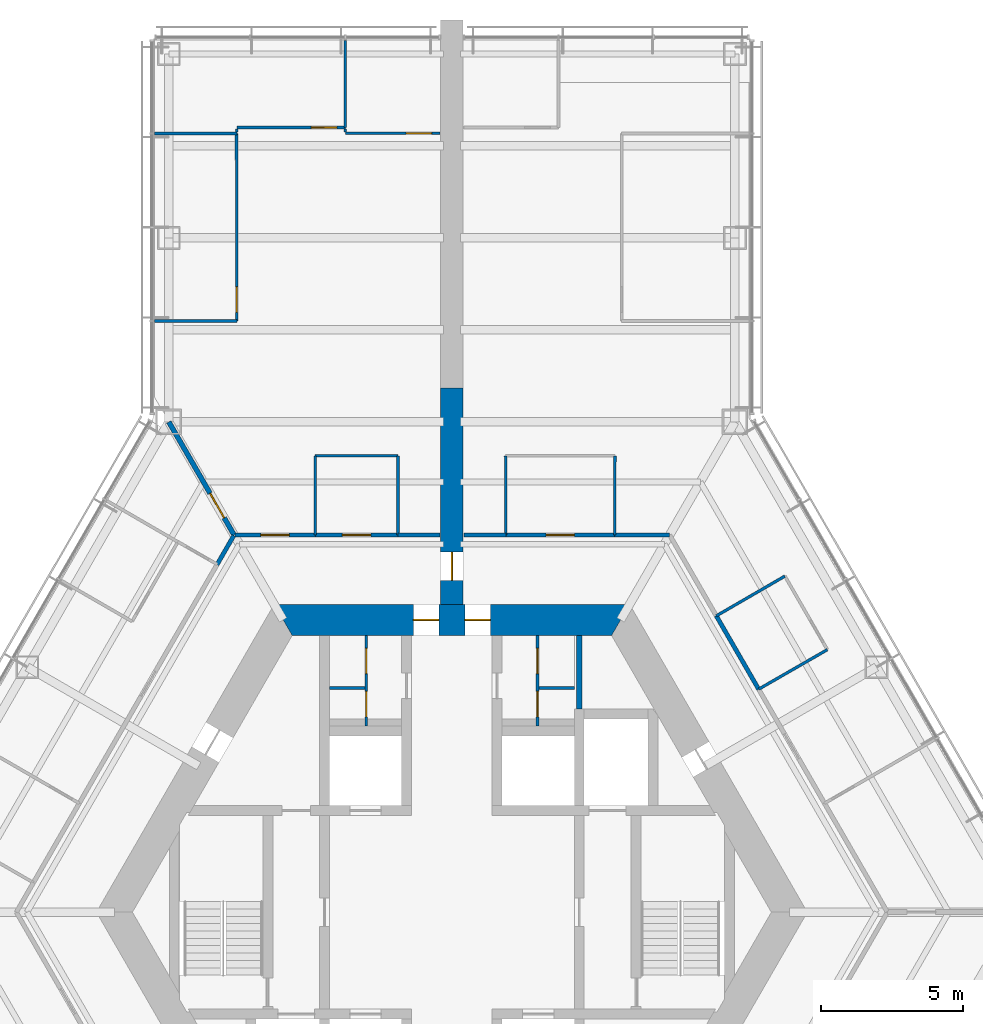
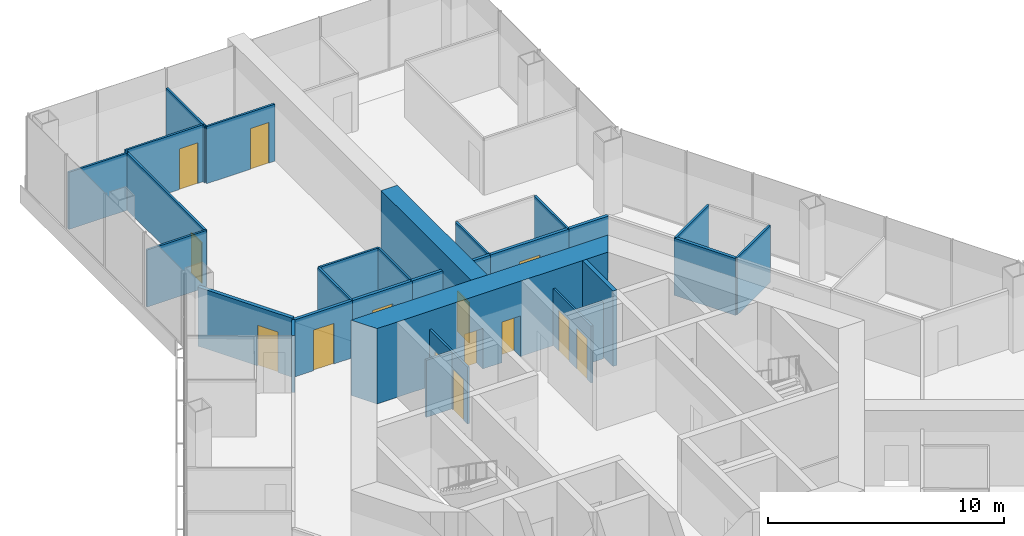
# One storey, part 15 of 19: 31 walls, 14 doors, 14 openings.
"""IFC4 building model written with IfcOpenShell, lengths in metres."""

from ifc_helpers import new_model, si_unit, direction, frame, frame_2d, origin, place, context, subcontext, project, spatial, polyline, rectangle, outline, extrude, material, layer, layer_set, type_object, element, fill, save


model = new_model("IFC4")

# Units and contexts
model_context = context("Model", 3, precision=1e-05, world=origin(), true_north=direction((0.0, 1.0)))
body_context = subcontext(model_context, "Body", "Model", "MODEL_VIEW")
ifc_project = project(units=[si_unit("LENGTHUNIT", "METRE"), si_unit("AREAUNIT", "SQUARE_METRE"), si_unit("VOLUMEUNIT", "CUBIC_METRE"), si_unit("PLANEANGLEUNIT", "RADIAN"), si_unit("MASSUNIT", "GRAM", prefix="KILO")], contexts=[model_context])

# Site, building, storey
site_placement = place(None, origin())
site = spatial("IfcSite", under=ifc_project, at=site_placement, CompositionType="ELEMENT")
building_placement = place(site_placement, origin())
building = spatial("IfcBuilding", under=site, at=building_placement, Name="Kasaneha Research Tower", CompositionType="ELEMENT")
storey_placement = place(building_placement, frame((0.0, 0.0, 88.5)))
storey = spatial("IfcBuildingStorey", under=building, at=storey_placement, Name="L22", CompositionType="ELEMENT", Elevation=88.5)

# Wall, openings, doors
ifc_material_1 = material(Name="Concrete Fc80", Category="concrete")
ifc_layer_1 = layer(ifc_material_1, 1.10009765625)
ifc_layer_set_1 = layer_set([ifc_layer_1], Name="Core wall 1100 Fc80")
wall_type_1 = type_object("IfcWallType", Name="Core wall 1100 Fc80", PredefinedType="SHEAR", material=ifc_layer_set_1)
wall_1_placement = place(storey_placement, frame((5.961181640625, 10.324951171875, 0.0), z_axis=(0.0, 0.0, 1.0), x_axis=(-1.0, 0.0, 0.0)))
wall_1 = element("IfcWall", 1, at=wall_1_placement, inside=storey, type_object=wall_type_1, Name="Core wall 090 L22", PredefinedType="SHEAR", context=body_context, shape_type="SweptSolid", body=[
    extrude(outline(polyline([(-0.317626953125, -0.550048828125), (4.5986328125, -0.550048828125), (5.49853515625, -0.550048828125), (6.423583984375, -0.550048828125), (7.323486328125, -0.550048828125), (12.239990234375, -0.550048828125), (11.604736328125, 0.550048828125), (7.323486328125, 0.550048828125), (6.423583984375, 0.550048828125), (5.49853515625, 0.550048828125), (4.5986328125, 0.550048828125), (0.317626953125, 0.550048828125), (-0.317626953125, -0.550048828125)])), origin(), (0.0, 0.0, 1.0), 3.89990234375),
])
opening_1_placement = place(wall_1_placement, frame((6.423583984375, 0.0, 0.0)))
opening_1 = element("IfcOpeningElement", 2, at=opening_1_placement, cuts=wall_1, Name="Opening L22-D01", PredefinedType="OPENING", context=body_context, shape_type="SweptSolid", body=[
    extrude(rectangle(XDim=0.89990234375, YDim=2.10009765625, at=frame_2d((0.449951171875, 1.050048828125))), frame((0.0, 0.56005859375, 0.0), z_axis=(0.0, -1.0, 0.0), x_axis=(1.0, 0.0, 0.0)), (0.0, 0.0, 1.0), 1.1201171875),
])
opening_2_placement = place(wall_1_placement, frame((4.5986328125, 0.0, 0.0)))
opening_2 = element("IfcOpeningElement", 3, at=opening_2_placement, cuts=wall_1, Name="Opening L22-D02", PredefinedType="OPENING", context=body_context, shape_type="SweptSolid", body=[
    extrude(rectangle(XDim=0.89990234375, YDim=2.10009765625, at=frame_2d((0.449951171875, 1.050048828125))), frame((0.0, 0.56005859375, 0.0), z_axis=(0.0, -1.0, 0.0), x_axis=(1.0, 0.0, 0.0)), (0.0, 0.0, 1.0), 1.1201171875),
])
ifc_material_2 = material(Name="Steel", Category="steel")
door_type_1 = type_object("IfcDoorType", Name="Toilet door FD20 900x2100", OperationType="NOTDEFINED", PredefinedType="DOOR", material=ifc_material_2)
door_1_placement = place(opening_1_placement, origin())
door_1 = element("IfcDoor", 4, at=door_1_placement, inside=storey, type_object=door_type_1, Name="Core door north 1 L22-D01", OperationType="SINGLE_SWING_RIGHT", OverallHeight=2.10009765625, OverallWidth=0.89990234375, PredefinedType="DOOR", context=body_context, shape_type="SweptSolid", body=[
    extrude(rectangle(XDim=0.89990234375, YDim=2.10009765625, at=frame_2d((0.449951171875, 1.050048828125))), frame((0.0, 0.02490234375, 0.0), z_axis=(0.0, -1.0, 0.0), x_axis=(1.0, 0.0, 0.0)), (0.0, 0.0, 1.0), 0.050048828125),
])
fill(opening_1, door_1)
door_2_placement = place(opening_2_placement, origin())
door_2 = element("IfcDoor", 5, at=door_2_placement, inside=storey, type_object=door_type_1, Name="Core door north 2 L22-D02", OperationType="SINGLE_SWING_LEFT", OverallHeight=2.10009765625, OverallWidth=0.89990234375, PredefinedType="DOOR", context=body_context, shape_type="SweptSolid", body=[
    extrude(rectangle(XDim=0.89990234375, YDim=2.10009765625, at=frame_2d((0.449951171875, 1.050048828125))), frame((0.0, 0.02490234375, 0.0), z_axis=(0.0, -1.0, 0.0), x_axis=(1.0, 0.0, 0.0)), (0.0, 0.0, 1.0), 0.050048828125),
])
fill(opening_2, door_2)

ifc_material_3 = material(Name="Gypsum board on steel studs, one layer each side", Category="steel")
ifc_layer_2 = layer(ifc_material_3, 0.10009765625)
ifc_layer_set_2 = layer_set([ifc_layer_2], Name="Office partition 100")
wall_type_2 = type_object("IfcWallType", Name="Office partition 100", PredefinedType="PARTITIONING", material=ifc_layer_set_2)
wall_2_placement = place(storey_placement, frame((-3.02490234375, 6.574951171875, 0.0), z_axis=(0.0, 0.0, 1.0), x_axis=(0.0, 1.0, 0.0)))
wall_2 = element("IfcWall", 6, at=wall_2_placement, inside=storey, type_object=wall_type_2, Name="Office partition TBM1 L22", PredefinedType="PARTITIONING", context=body_context, shape_type="SweptSolid", body=[
    extrude(rectangle(XDim=3.199951171875, YDim=0.10009765625, at=frame_2d((1.60009765625, 0.0))), origin(), (0.0, 0.0, 1.0), 2.949951171875),
])
opening_3_placement = place(wall_2_placement, frame((1.85009765625, 0.0, 0.0)))
opening_3 = element("IfcOpeningElement", 7, at=opening_3_placement, cuts=wall_2, Name="Opening L22-D20", PredefinedType="OPENING", context=body_context, shape_type="SweptSolid", body=[
    extrude(rectangle(XDim=0.89990234375, YDim=2.10009765625, at=frame_2d((0.449951171875, 1.050048828125))), frame((0.0, 0.06005859375, 0.0), z_axis=(0.0, -1.0, 0.0), x_axis=(1.0, 0.0, 0.0)), (0.0, 0.0, 1.0), 0.1201171875),
])
opening_4_placement = place(wall_2_placement, frame((0.324951171875, 0.0, 0.0)))
opening_4 = element("IfcOpeningElement", 8, at=opening_4_placement, cuts=wall_2, Name="Opening L22-D21", PredefinedType="OPENING", context=body_context, shape_type="SweptSolid", body=[
    extrude(rectangle(XDim=0.89990234375, YDim=2.10009765625, at=frame_2d((0.449951171875, 1.050048828125))), frame((0.0, 0.06005859375, 0.0), z_axis=(0.0, -1.0, 0.0), x_axis=(1.0, 0.0, 0.0)), (0.0, 0.0, 1.0), 0.1201171875),
])
ifc_material_4 = material(Name="Steel", Category="steel")
door_type_2 = type_object("IfcDoorType", Name="Toilet lobby door FD30 900x2100", OperationType="NOTDEFINED", PredefinedType="DOOR", material=ifc_material_4)
door_3_placement = place(opening_3_placement, origin())
door_3 = element("IfcDoor", 9, at=door_3_placement, inside=storey, type_object=door_type_2, Name="Men's WC door L22-D20", OperationType="SINGLE_SWING_RIGHT", OverallHeight=2.10009765625, OverallWidth=0.89990234375, PredefinedType="DOOR", context=body_context, shape_type="SweptSolid", body=[
    extrude(rectangle(XDim=0.89990234375, YDim=2.10009765625, at=frame_2d((0.449951171875, 1.050048828125))), frame((0.0, 0.02490234375, 0.0), z_axis=(0.0, -1.0, 0.0), x_axis=(1.0, 0.0, 0.0)), (0.0, 0.0, 1.0), 0.050048828125),
])
fill(opening_3, door_3)
door_4_placement = place(opening_4_placement, origin())
door_4 = element("IfcDoor", 10, at=door_4_placement, inside=storey, type_object=door_type_2, Name="Parents' room door L22-D21", OperationType="SINGLE_SWING_RIGHT", OverallHeight=2.10009765625, OverallWidth=0.89990234375, PredefinedType="DOOR", context=body_context, shape_type="SweptSolid", body=[
    extrude(rectangle(XDim=0.89990234375, YDim=2.10009765625, at=frame_2d((0.449951171875, 1.050048828125))), frame((0.0, 0.02490234375, 0.0), z_axis=(0.0, -1.0, 0.0), x_axis=(1.0, 0.0, 0.0)), (0.0, 0.0, 1.0), 0.050048828125),
])
fill(opening_4, door_4)

# Wall
wall_3_placement = place(storey_placement, frame((-3.074951171875, 7.925048828125, 0.0), z_axis=(0.0, 0.0, 1.0), x_axis=(-1.0, 0.0, 0.0)))
element("IfcWall", 11, at=wall_3_placement, inside=storey, type_object=wall_type_2, Name="Office partition TBM2 L22", PredefinedType="PARTITIONING", context=body_context, shape_type="SweptSolid", body=[
    extrude(rectangle(XDim=1.25, YDim=0.10009765625, at=frame_2d((0.625, 0.0))), origin(), (0.0, 0.0, 1.0), 2.949951171875),
])

# Wall, openings, doors
wall_4_placement = place(storey_placement, frame((3.02490234375, 6.574951171875, 0.0), z_axis=(0.0, 0.0, 1.0), x_axis=(0.0, 1.0, 0.0)))
wall_4 = element("IfcWall", 12, at=wall_4_placement, inside=storey, type_object=wall_type_2, Name="Office partition TBF1 L22", PredefinedType="PARTITIONING", context=body_context, shape_type="SweptSolid", body=[
    extrude(rectangle(XDim=3.199951171875, YDim=0.10009765625, at=frame_2d((1.60009765625, 0.0))), origin(), (0.0, 0.0, 1.0), 2.949951171875),
])
opening_5_placement = place(wall_4_placement, frame((1.85009765625, 0.0, 0.0)))
opening_5 = element("IfcOpeningElement", 13, at=opening_5_placement, cuts=wall_4, Name="Opening L22-D22", PredefinedType="OPENING", context=body_context, shape_type="SweptSolid", body=[
    extrude(rectangle(XDim=0.89990234375, YDim=2.10009765625, at=frame_2d((0.449951171875, 1.050048828125))), frame((0.0, 0.06005859375, 0.0), z_axis=(0.0, -1.0, 0.0), x_axis=(1.0, 0.0, 0.0)), (0.0, 0.0, 1.0), 0.1201171875),
])
opening_6_placement = place(wall_4_placement, frame((0.324951171875, 0.0, 0.0)))
opening_6 = element("IfcOpeningElement", 14, at=opening_6_placement, cuts=wall_4, Name="Opening L22-D23", PredefinedType="OPENING", context=body_context, shape_type="SweptSolid", body=[
    extrude(rectangle(XDim=0.89990234375, YDim=2.10009765625, at=frame_2d((0.449951171875, 1.050048828125))), frame((0.0, 0.06005859375, 0.0), z_axis=(0.0, -1.0, 0.0), x_axis=(1.0, 0.0, 0.0)), (0.0, 0.0, 1.0), 0.1201171875),
])
door_5_placement = place(opening_5_placement, origin())
door_5 = element("IfcDoor", 15, at=door_5_placement, inside=storey, type_object=door_type_2, Name="Women's WC door L22-D22", OperationType="SINGLE_SWING_RIGHT", OverallHeight=2.10009765625, OverallWidth=0.89990234375, PredefinedType="DOOR", context=body_context, shape_type="SweptSolid", body=[
    extrude(rectangle(XDim=0.89990234375, YDim=2.10009765625, at=frame_2d((0.449951171875, 1.050048828125))), frame((0.0, 0.02490234375, 0.0), z_axis=(0.0, -1.0, 0.0), x_axis=(1.0, 0.0, 0.0)), (0.0, 0.0, 1.0), 0.050048828125),
])
fill(opening_5, door_5)
door_6_placement = place(opening_6_placement, origin())
door_6 = element("IfcDoor", 16, at=door_6_placement, inside=storey, type_object=door_type_2, Name="Cleaner's store door L22-D23", OperationType="SINGLE_SWING_RIGHT", OverallHeight=2.10009765625, OverallWidth=0.89990234375, PredefinedType="DOOR", context=body_context, shape_type="SweptSolid", body=[
    extrude(rectangle(XDim=0.89990234375, YDim=2.10009765625, at=frame_2d((0.449951171875, 1.050048828125))), frame((0.0, 0.02490234375, 0.0), z_axis=(0.0, -1.0, 0.0), x_axis=(1.0, 0.0, 0.0)), (0.0, 0.0, 1.0), 0.050048828125),
])
fill(opening_6, door_6)

# Walls
wall_5_placement = place(storey_placement, frame((3.074951171875, 7.925048828125, 0.0), z_axis=(0.0, 0.0, 1.0), x_axis=(1.0, 0.0, 0.0)))
element("IfcWall", 17, at=wall_5_placement, inside=storey, type_object=wall_type_2, Name="Office partition TBF2 L22", PredefinedType="PARTITIONING", context=body_context, shape_type="SweptSolid", body=[
    extrude(rectangle(XDim=1.25, YDim=0.10009765625, at=frame_2d((0.625, 0.0))), origin(), (0.0, 0.0, 1.0), 2.949951171875),
])
for number, where, z_axis, x_axis, name in (
    (18, (1.904541015625, 13.324951171875, 0.0), (0.0, 0.0, 1.0), (-0.001656637364, 0.999998627775, 0.0), "Office partition FAE09 L22"),
    (19, (5.757080078125, 16.125, 0.0), (0.0, 0.0, 1.0), (-0.001656637364, -0.999998627775, 0.0), "Office partition FAE10 L22"),
    (20, (9.342041015625, 10.468994140625, 0.0), (0.0, 0.0, 1.0), (0.865195372903, 0.501434907746, 0.0), "Office partition FAE11 L22"),
):
    element("IfcWall", number, at=place(storey_placement, frame(where, z_axis=z_axis, x_axis=x_axis)), inside=storey, type_object=wall_type_2, Name=name, PredefinedType="PARTITIONING", context=body_context, shape_type="SweptSolid", body=[
        extrude(rectangle(XDim=2.800048828125, YDim=0.10009765625, at=frame_2d((1.39990234375, 0.0))), origin(), (0.0, 0.0, 1.0), 2.949951171875),
    ])
wall_6_placement = place(storey_placement, frame((13.2646484375, 9.27490234375, 0.0), z_axis=(0.0, 0.0, 1.0), x_axis=(-0.866833758708, -0.498597267105, 0.0)))
element("IfcWall", 21, at=wall_6_placement, inside=storey, type_object=wall_type_2, Name="Office partition FAE13 L22", PredefinedType="PARTITIONING", context=body_context, shape_type="SweptSolid", body=[
    extrude(rectangle(XDim=2.7998046875, YDim=0.10009765625, at=frame_2d((1.39990234375, 0.0))), origin(), (0.0, 0.0, 1.0), 2.949951171875),
])
wall_7_placement = place(storey_placement, frame((-4.8291015625, 16.125, 0.0), z_axis=(0.0, 0.0, 1.0), x_axis=(1.0, 0.0, 0.0)))
element("IfcWall", 22, at=wall_7_placement, inside=storey, type_object=wall_type_2, Name="Office partition FAW04 L22", PredefinedType="PARTITIONING", context=body_context, shape_type="SweptSolid", body=[
    extrude(rectangle(XDim=2.92919921875, YDim=0.10009765625, at=frame_2d((1.464599609375, 0.0))), origin(), (0.0, 0.0, 1.0), 2.949951171875),
])
for number, where, z_axis, x_axis, name in (
    (23, (-4.824462890625, 13.324951171875, 0.0), (0.0, 0.0, 1.0), (-0.001656637364, 0.999998627775, 0.0), "Office partition FAW05 L22"),
    (24, (-1.89990234375, 16.125, 0.0), (0.0, 0.0, 1.0), (-0.001656637364, -0.999998627775, 0.0), "Office partition FAW06 L22"),
):
    element("IfcWall", number, at=place(storey_placement, frame(where, z_axis=z_axis, x_axis=x_axis)), inside=storey, type_object=wall_type_2, Name=name, PredefinedType="PARTITIONING", context=body_context, shape_type="SweptSolid", body=[
        extrude(rectangle(XDim=2.800048828125, YDim=0.10009765625, at=frame_2d((1.39990234375, 0.0))), origin(), (0.0, 0.0, 1.0), 2.949951171875),
    ])
wall_8_placement = place(storey_placement, frame((-10.5, 27.5107421875, 0.0), z_axis=(0.0, 0.0, 1.0), x_axis=(0.999998125274, -0.001936349291, 0.0)))
element("IfcWall", 25, at=wall_8_placement, inside=storey, type_object=wall_type_2, Name="Office partition FAW07 L22", PredefinedType="PARTITIONING", context=body_context, shape_type="SweptSolid", body=[
    extrude(rectangle(XDim=2.89990234375, YDim=0.10009765625, at=frame_2d((1.449951171875, 0.0))), origin(), (0.0, 0.0, 1.0), 2.949951171875),
])

# Wall, opening, door
wall_9_placement = place(storey_placement, frame((-7.60400390625, 27.5107421875, 0.0), z_axis=(0.0, 0.0, 1.0), x_axis=(0.000590100952, -0.99999982589, 0.0)))
wall_9 = element("IfcWall", 26, at=wall_9_placement, inside=storey, type_object=wall_type_2, Name="Office partition FAW08 L22", PredefinedType="PARTITIONING", context=body_context, shape_type="SweptSolid", body=[
    extrude(rectangle(XDim=6.61962890625, YDim=0.10009765625, at=frame_2d((3.309814453125, 0.0))), origin(), (0.0, 0.0, 1.0), 2.949951171875),
])
opening_7_placement = place(wall_9_placement, frame((5.419677734375, 0.0, 0.0)))
opening_7 = element("IfcOpeningElement", 27, at=opening_7_placement, cuts=wall_9, Name="Opening L22-D36", PredefinedType="OPENING", context=body_context, shape_type="SweptSolid", body=[
    extrude(rectangle(XDim=0.89990234375, YDim=2.10009765625, at=frame_2d((0.449951171875, 1.050048828125))), frame((0.0, 0.06005859375, 0.0), z_axis=(0.0, -1.0, 0.0), x_axis=(1.0, 0.0, 0.0)), (0.0, 0.0, 1.0), 0.1201171875),
])
ifc_material_5 = material(Name="Timber veneer", Category="wood")
door_type_3 = type_object("IfcDoorType", Name="Office door 900x2100", OperationType="SINGLE_SWING_LEFT", PredefinedType="DOOR", material=ifc_material_5)
door_7_placement = place(opening_7_placement, origin())
door_7 = element("IfcDoor", 28, at=door_7_placement, inside=storey, type_object=door_type_3, Name="Manager's office door L22-D36", OperationType="SINGLE_SWING_RIGHT", OverallHeight=2.10009765625, OverallWidth=0.89990234375, PredefinedType="DOOR", context=body_context, shape_type="SweptSolid", body=[
    extrude(rectangle(XDim=0.89990234375, YDim=2.10009765625, at=frame_2d((0.449951171875, 1.050048828125))), frame((0.0, 0.02490234375, 0.0), z_axis=(0.0, -1.0, 0.0), x_axis=(1.0, 0.0, 0.0)), (0.0, 0.0, 1.0), 0.050048828125),
])
fill(opening_7, door_7)

# Walls
wall_10_placement = place(storey_placement, frame((-7.60009765625, 20.89111328125, 0.0), z_axis=(0.0, 0.0, 1.0), x_axis=(-1.0, 0.0, 0.0)))
element("IfcWall", 29, at=wall_10_placement, inside=storey, type_object=wall_type_2, Name="Office partition FAW09 L22", PredefinedType="PARTITIONING", context=body_context, shape_type="SweptSolid", body=[
    extrude(rectangle(XDim=2.89990234375, YDim=0.10009765625, at=frame_2d((1.449951171875, 0.0))), origin(), (0.0, 0.0, 1.0), 2.949951171875),
])
wall_11_placement = place(storey_placement, frame((-3.7666015625, 27.715576171875, 0.0), z_axis=(0.0, 0.0, 1.0), x_axis=(0.0, 1.0, 0.0)))
element("IfcWall", 30, at=wall_11_placement, inside=storey, type_object=wall_type_2, Name="Office partition FAW10 L22", PredefinedType="PARTITIONING", context=body_context, shape_type="SweptSolid", body=[
    extrude(rectangle(XDim=3.0849609375, YDim=0.10009765625, at=frame_2d((1.54248046875, 0.0))), origin(), (0.0, 0.0, 1.0), 2.949951171875),
])

# Wall, opening, door
wall_12_placement = place(storey_placement, frame((-0.419921875, 27.5205078125, 0.0), z_axis=(0.0, 0.0, 1.0), x_axis=(-1.0, 0.0, 0.0)))
wall_12 = element("IfcWall", 31, at=wall_12_placement, inside=storey, type_object=wall_type_2, Name="Office partition FAW11 L22", PredefinedType="PARTITIONING", context=body_context, shape_type="SweptSolid", body=[
    extrude(rectangle(XDim=3.3466796875, YDim=0.10009765625, at=frame_2d((1.67333984375, 0.0))), origin(), (0.0, 0.0, 1.0), 2.949951171875),
])
opening_8_placement = place(wall_12_placement, frame((0.300048828125, 0.0, 0.0)))
opening_8 = element("IfcOpeningElement", 32, at=opening_8_placement, cuts=wall_12, Name="Opening L22-D37", PredefinedType="OPENING", context=body_context, shape_type="SweptSolid", body=[
    extrude(rectangle(XDim=0.89990234375, YDim=2.10009765625, at=frame_2d((0.449951171875, 1.050048828125))), frame((0.0, 0.06005859375, 0.0), z_axis=(0.0, -1.0, 0.0), x_axis=(1.0, 0.0, 0.0)), (0.0, 0.0, 1.0), 0.1201171875),
])
door_8_placement = place(opening_8_placement, origin())
door_8 = element("IfcDoor", 33, at=door_8_placement, inside=storey, type_object=door_type_3, Name="Manager's office door L22-D37", OperationType="SINGLE_SWING_LEFT", OverallHeight=2.10009765625, OverallWidth=0.89990234375, PredefinedType="DOOR", context=body_context, shape_type="SweptSolid", body=[
    extrude(rectangle(XDim=0.89990234375, YDim=2.10009765625, at=frame_2d((0.449951171875, 1.050048828125))), frame((0.0, 0.02490234375, 0.0), z_axis=(0.0, -1.0, 0.0), x_axis=(1.0, 0.0, 0.0)), (0.0, 0.0, 1.0), 0.050048828125),
])
fill(opening_8, door_8)

wall_13_placement = place(storey_placement, frame((-3.7666015625, 27.72509765625, 0.0), z_axis=(0.0, 0.0, 1.0), x_axis=(-0.999998926662, -0.001465153224, 0.0)))
wall_13 = element("IfcWall", 34, at=wall_13_placement, inside=storey, type_object=wall_type_2, Name="Office partition FAW12 L22", PredefinedType="PARTITIONING", context=body_context, shape_type="SweptSolid", body=[
    extrude(rectangle(XDim=3.83251953125, YDim=0.10009765625, at=frame_2d((1.916259765625, 0.0))), origin(), (0.0, 0.0, 1.0), 2.949951171875),
])
opening_9_placement = place(wall_13_placement, frame((0.300048828125, 0.0, 0.0)))
opening_9 = element("IfcOpeningElement", 35, at=opening_9_placement, cuts=wall_13, Name="Opening L22-D38", PredefinedType="OPENING", context=body_context, shape_type="SweptSolid", body=[
    extrude(rectangle(XDim=0.89990234375, YDim=2.10009765625, at=frame_2d((0.449951171875, 1.050048828125))), frame((0.0, 0.06005859375, 0.0), z_axis=(0.0, -1.0, 0.0), x_axis=(1.0, 0.0, 0.0)), (0.0, 0.0, 1.0), 0.1201171875),
])
door_9_placement = place(opening_9_placement, origin())
door_9 = element("IfcDoor", 36, at=door_9_placement, inside=storey, type_object=door_type_3, Name="Workroom door L22-D38", OperationType="SINGLE_SWING_LEFT", OverallHeight=2.10009765625, OverallWidth=0.89990234375, PredefinedType="DOOR", context=body_context, shape_type="SweptSolid", body=[
    extrude(rectangle(XDim=0.89990234375, YDim=2.10009765625, at=frame_2d((0.449951171875, 1.050048828125))), frame((0.0, 0.02490234375, 0.0), z_axis=(0.0, -1.0, 0.0), x_axis=(1.0, 0.0, 0.0)), (0.0, 0.0, 1.0), 0.050048828125),
])
fill(opening_9, door_9)

# Walls
wall_14_placement = place(storey_placement, frame((-3.766845703125, 27.570556640625, 0.0), z_axis=(0.0, 0.0, 1.0), x_axis=(0.0, 1.0, 0.0)))
element("IfcWall", 37, at=wall_14_placement, inside=storey, type_object=wall_type_2, Name="Office partition closer PT5 L22", PredefinedType="PARTITIONING", context=body_context, shape_type="SweptSolid", body=[
    extrude(rectangle(XDim=0.1044921875, YDim=0.10009765625, at=frame_2d((0.05224609375, 0.0))), origin(), (0.0, 0.0, 1.0), 2.949951171875),
])
wall_15_placement = place(storey_placement, frame((-7.599365234375, 27.66943359375, 0.0), z_axis=(0.0, 0.0, 1.0), x_axis=(-0.004273465251, -0.999990868706, 0.0)))
element("IfcWall", 38, at=wall_15_placement, inside=storey, type_object=wall_type_2, Name="Office partition closer PT5 L22", PredefinedType="PARTITIONING", context=body_context, shape_type="SweptSolid", body=[
    extrude(rectangle(XDim=0.1142578125, YDim=0.10009765625, at=frame_2d((0.05712890625, 0.0))), origin(), (0.0, 0.0, 1.0), 2.949951171875),
])
ifc_material_6 = material(Name="Concrete block", Category="concrete")
ifc_layer_3 = layer(ifc_material_6, 0.199951171875)
ifc_layer_set_3 = layer_set([ifc_layer_3], Name="Riser enclosure wall 200")
wall_type_3 = type_object("IfcWallType", Name="Riser enclosure wall 200", PredefinedType="STANDARD", material=ifc_layer_set_3)
wall_16_placement = place(storey_placement, frame((4.5, 7.175048828125, 0.0), z_axis=(0.0, 0.0, 1.0), x_axis=(0.0, 1.0, 0.0)))
element("IfcWall", 39, at=wall_16_placement, inside=storey, type_object=wall_type_3, Name="Riser enclosure wall L22", PredefinedType="STANDARD", context=body_context, shape_type="SweptSolid", body=[
    extrude(rectangle(XDim=2.599853515625, YDim=0.199951171875, at=frame_2d((1.2998046875, 0.0))), origin(), (0.0, 0.0, 1.0), 3.89990234375),
])

# Wall, opening, door
ifc_material_7 = material(Name="Concrete Fc80", Category="concrete")
ifc_layer_4 = layer(ifc_material_7, 0.800048828125)
ifc_layer_set_4 = layer_set([ifc_layer_4], Name="Spine wall 800 Fc80")
wall_type_4 = type_object("IfcWallType", Name="Spine wall 800 Fc80", PredefinedType="SHEAR", material=ifc_layer_set_4)
wall_17_placement = place(storey_placement, frame((0.0, 10.875, 0.0), z_axis=(0.0, 0.0, 1.0), x_axis=(0.0, 1.0, 0.0)))
wall_17 = element("IfcWall", 40, at=wall_17_placement, inside=storey, type_object=wall_type_4, Name="Spine wall A L22", PredefinedType="SHEAR", context=body_context, shape_type="SweptSolid", body=[
    extrude(rectangle(XDim=7.6455078125, YDim=0.800048828125, at=frame_2d((3.82275390625, 0.0))), origin(), (0.0, 0.0, 1.0), 3.89990234375),
])
opening_10_placement = place(wall_17_placement, frame((0.85009765625, 0.0, 0.0)))
opening_10 = element("IfcOpeningElement", 41, at=opening_10_placement, cuts=wall_17, Name="Opening L22-D17", PredefinedType="OPENING", context=body_context, shape_type="SweptSolid", body=[
    extrude(rectangle(XDim=1.0, YDim=2.10009765625, at=frame_2d((0.5, 1.050048828125))), frame((0.0, 0.41015625, 0.0), z_axis=(0.0, -1.0, 0.0), x_axis=(1.0, 0.0, 0.0)), (0.0, 0.0, 1.0), 0.820068359375),
])
ifc_material_8 = material(Name="Steel", Category="steel")
door_type_4 = type_object("IfcDoorType", Name="Specified fire door FD60 1000x2100", OperationType="NOTDEFINED", PredefinedType="DOOR", material=ifc_material_8)
door_10_placement = place(opening_10_placement, origin())
door_10 = element("IfcDoor", 42, at=door_10_placement, inside=storey, type_object=door_type_4, Name="Spine doorway A L22-D17", OperationType="SINGLE_SWING_LEFT", OverallHeight=2.10009765625, OverallWidth=1.0, PredefinedType="DOOR", context=body_context, shape_type="SweptSolid", body=[
    extrude(rectangle(XDim=1.0, YDim=2.10009765625, at=frame_2d((0.5, 1.050048828125))), frame((0.0, 0.02490234375, 0.0), z_axis=(0.0, -1.0, 0.0), x_axis=(1.0, 0.0, 0.0)), (0.0, 0.0, 1.0), 0.050048828125),
])
fill(opening_10, door_10)

ifc_material_9 = material(Name="Gypsum board on steel studs, two layers each side", Category="steel")
ifc_layer_5 = layer(ifc_material_9, 0.14990234375)
ifc_layer_set_5 = layer_set([ifc_layer_5], Name="Suite partition 150")
wall_type_5 = type_object("IfcWallType", Name="Suite partition 150", PredefinedType="PARTITIONING", material=ifc_layer_set_5)
wall_18_placement = place(storey_placement, frame((1.89501953125, 13.324951171875, 0.0), z_axis=(0.0, 0.0, 1.0), x_axis=(1.0, 0.0, 0.0)))
wall_18 = element("IfcWall", 43, at=wall_18_placement, inside=storey, type_object=wall_type_5, Name="Suite partition FAE01 L22", PredefinedType="PARTITIONING", context=body_context, shape_type="SweptSolid", body=[
    extrude(rectangle(XDim=3.866943359375, YDim=0.14990234375, at=frame_2d((1.93359375, 0.0))), origin(), (0.0, 0.0, 1.0), 2.949951171875),
])
opening_11_placement = place(wall_18_placement, frame((1.43359375, 0.0, 0.0)))
opening_11 = element("IfcOpeningElement", 44, at=opening_11_placement, cuts=wall_18, Name="Opening L22-D28", PredefinedType="OPENING", context=body_context, shape_type="SweptSolid", body=[
    extrude(rectangle(XDim=1.0, YDim=2.10009765625, at=frame_2d((0.5, 1.050048828125))), frame((0.0, 0.0849609375, 0.0), z_axis=(0.0, -1.0, 0.0), x_axis=(1.0, 0.0, 0.0)), (0.0, 0.0, 1.0), 0.169921875),
])
ifc_material_10 = material(Name="Steel", Category="steel")
door_type_5 = type_object("IfcDoorType", Name="Suite entrance door FD60 1000x2100", OperationType="NOTDEFINED", PredefinedType="DOOR", material=ifc_material_10)
door_11_placement = place(opening_11_placement, origin())
door_11 = element("IfcDoor", 45, at=door_11_placement, inside=storey, type_object=door_type_5, Name="Suite entrance door L22-D28", OperationType="SINGLE_SWING_LEFT", OverallHeight=2.10009765625, OverallWidth=1.0, PredefinedType="DOOR", context=body_context, shape_type="SweptSolid", body=[
    extrude(rectangle(XDim=1.0, YDim=2.10009765625, at=frame_2d((0.5, 1.050048828125))), frame((0.0, 0.02490234375, 0.0), z_axis=(0.0, -1.0, 0.0), x_axis=(1.0, 0.0, 0.0)), (0.0, 0.0, 1.0), 0.050048828125),
])
fill(opening_11, door_11)

# Walls
wall_19_placement = place(storey_placement, frame((9.33740234375, 10.477294921875, 0.0), z_axis=(0.0, 0.0, 1.0), x_axis=(0.499977562641, -0.866038357612, 0.0)))
element("IfcWall", 46, at=wall_19_placement, inside=storey, type_object=wall_type_5, Name="Suite partition FAE02 L22", PredefinedType="PARTITIONING", context=body_context, shape_type="SweptSolid", body=[
    extrude(rectangle(XDim=3.010009765625, YDim=0.14990234375, at=frame_2d((1.5048828125, 0.0))), origin(), (0.0, 0.0, 1.0), 2.949951171875),
])
wall_20_placement = place(storey_placement, frame((0.419921875, 13.324951171875, 0.0), z_axis=(0.0, 0.0, 1.0), x_axis=(1.0, 0.0, 0.0)))
element("IfcWall", 47, at=wall_20_placement, inside=storey, type_object=wall_type_5, Name="Suite partition FAE04 L22", PredefinedType="PARTITIONING", context=body_context, shape_type="SweptSolid", body=[
    extrude(rectangle(XDim=1.484619140625, YDim=0.14990234375, at=frame_2d((0.7421875, 0.0))), origin(), (0.0, 0.0, 1.0), 2.949951171875),
])
wall_21_placement = place(storey_placement, frame((5.75244140625, 13.324951171875, 0.0), z_axis=(0.0, 0.0, 1.0), x_axis=(1.0, 0.0, 0.0)))
element("IfcWall", 48, at=wall_21_placement, inside=storey, type_object=wall_type_5, Name="Suite partition FAE05 L22", PredefinedType="PARTITIONING", context=body_context, shape_type="SweptSolid", body=[
    extrude(rectangle(XDim=1.940673828125, YDim=0.14990234375, at=frame_2d((0.97021484375, 0.0))), origin(), (0.0, 0.0, 1.0), 2.949951171875),
])

# Wall, opening, door
wall_22_placement = place(storey_placement, frame((-4.833984375, 13.324951171875, 0.0), z_axis=(0.0, 0.0, 1.0), x_axis=(1.0, 0.0, 0.0)))
wall_22 = element("IfcWall", 49, at=wall_22_placement, inside=storey, type_object=wall_type_5, Name="Suite partition FAW01 L22", PredefinedType="PARTITIONING", context=body_context, shape_type="SweptSolid", body=[
    extrude(rectangle(XDim=2.93896484375, YDim=0.14990234375, at=frame_2d((1.469482421875, 0.0))), origin(), (0.0, 0.0, 1.0), 2.949951171875),
])
opening_12_placement = place(wall_22_placement, frame((0.969482421875, 0.0, 0.0)))
opening_12 = element("IfcOpeningElement", 50, at=opening_12_placement, cuts=wall_22, Name="Opening L22-D34", PredefinedType="OPENING", context=body_context, shape_type="SweptSolid", body=[
    extrude(rectangle(XDim=1.0, YDim=2.10009765625, at=frame_2d((0.5, 1.050048828125))), frame((0.0, 0.0849609375, 0.0), z_axis=(0.0, -1.0, 0.0), x_axis=(1.0, 0.0, 0.0)), (0.0, 0.0, 1.0), 0.169921875),
])
door_12_placement = place(opening_12_placement, origin())
door_12 = element("IfcDoor", 51, at=door_12_placement, inside=storey, type_object=door_type_5, Name="Suite entrance door L22-D34", OperationType="SINGLE_SWING_RIGHT", OverallHeight=2.10009765625, OverallWidth=1.0, PredefinedType="DOOR", context=body_context, shape_type="SweptSolid", body=[
    extrude(rectangle(XDim=1.0, YDim=2.10009765625, at=frame_2d((0.5, 1.050048828125))), frame((0.0, 0.02490234375, 0.0), z_axis=(0.0, -1.0, 0.0), x_axis=(1.0, 0.0, 0.0)), (0.0, 0.0, 1.0), 0.050048828125),
])
fill(opening_12, door_12)

wall_23_placement = place(storey_placement, frame((-7.670166015625, 13.324951171875, 0.0), z_axis=(0.0, 0.0, 1.0), x_axis=(1.0, 0.0, 0.0)))
wall_23 = element("IfcWall", 52, at=wall_23_placement, inside=storey, type_object=wall_type_5, Name="Suite partition FAW02 L22", PredefinedType="PARTITIONING", context=body_context, shape_type="SweptSolid", body=[
    extrude(rectangle(XDim=2.845703125, YDim=0.14990234375, at=frame_2d((1.4228515625, 0.0))), origin(), (0.0, 0.0, 1.0), 2.949951171875),
])
opening_13_placement = place(wall_23_placement, frame((0.9228515625, 0.0, 0.0)))
opening_13 = element("IfcOpeningElement", 53, at=opening_13_placement, cuts=wall_23, Name="Opening L22-D35", PredefinedType="OPENING", context=body_context, shape_type="SweptSolid", body=[
    extrude(rectangle(XDim=1.0, YDim=2.10009765625, at=frame_2d((0.5, 1.050048828125))), frame((0.0, 0.0849609375, 0.0), z_axis=(0.0, -1.0, 0.0), x_axis=(1.0, 0.0, 0.0)), (0.0, 0.0, 1.0), 0.169921875),
])
door_13_placement = place(opening_13_placement, origin())
door_13 = element("IfcDoor", 54, at=door_13_placement, inside=storey, type_object=door_type_5, Name="Suite entrance door L22-D35", OperationType="SINGLE_SWING_LEFT", OverallHeight=2.10009765625, OverallWidth=1.0, PredefinedType="DOOR", context=body_context, shape_type="SweptSolid", body=[
    extrude(rectangle(XDim=1.0, YDim=2.10009765625, at=frame_2d((0.5, 1.050048828125))), frame((0.0, 0.02490234375, 0.0), z_axis=(0.0, -1.0, 0.0), x_axis=(1.0, 0.0, 0.0)), (0.0, 0.0, 1.0), 0.050048828125),
])
fill(opening_13, door_13)

# Walls
wall_24_placement = place(storey_placement, frame((-1.904541015625, 13.324951171875, 0.0), z_axis=(0.0, 0.0, 1.0), x_axis=(1.0, 0.0, 0.0)))
element("IfcWall", 55, at=wall_24_placement, inside=storey, type_object=wall_type_5, Name="Suite partition FAW03 L22", PredefinedType="PARTITIONING", context=body_context, shape_type="SweptSolid", body=[
    extrude(rectangle(XDim=1.484619140625, YDim=0.14990234375, at=frame_2d((0.7421875, 0.0))), origin(), (0.0, 0.0, 1.0), 2.949951171875),
])
wall_25_placement = place(storey_placement, frame((-8.2958984375, 12.281005859375, 0.0), z_axis=(0.0, 0.0, 1.0), x_axis=(0.500091824179, 0.865972382579, 0.0)))
element("IfcWall", 56, at=wall_25_placement, inside=storey, type_object=wall_type_5, Name="Suite partition FBN02 L22", PredefinedType="PARTITIONING", context=body_context, shape_type="SweptSolid", body=[
    extrude(rectangle(XDim=1.182373046875, YDim=0.14990234375, at=frame_2d((0.59130859375, 0.0))), origin(), (0.0, 0.0, 1.0), 2.949951171875),
])

# Wall, opening, door
ifc_material_11 = material(Name="Gypsum board on steel studs, two layers each side", Category="steel")
ifc_layer_6 = layer(ifc_material_11, 0.175048828125)
ifc_layer_set_6 = layer_set([ifc_layer_6], Name="Tenancy fire partition 175")
wall_type_6 = type_object("IfcWallType", Name="Tenancy fire partition 175", PredefinedType="PARTITIONING", material=ifc_layer_set_6)
wall_26_placement = place(storey_placement, frame((-7.693115234375, 13.324951171875, 0.0), z_axis=(0.0, 0.0, 1.0), x_axis=(-0.500003393015, 0.866023444818, 0.0)))
wall_26 = element("IfcWall", 57, at=wall_26_placement, inside=storey, type_object=wall_type_6, Name="Tenancy fire partition T120 L22", PredefinedType="PARTITIONING", context=body_context, shape_type="SweptSolid", body=[
    extrude(rectangle(XDim=4.61376953125, YDim=0.175048828125, at=frame_2d((2.306884765625, 0.0))), origin(), (0.0, 0.0, 1.0), 3.050048828125),
])
opening_14_placement = place(wall_26_placement, frame((0.699951171875, 0.0, 0.0)))
opening_14 = element("IfcOpeningElement", 58, at=opening_14_placement, cuts=wall_26, Name="Opening L22-D26", PredefinedType="OPENING", context=body_context, shape_type="SweptSolid", body=[
    extrude(rectangle(XDim=1.0, YDim=2.10009765625, at=frame_2d((0.5, 1.050048828125))), frame((0.0, 0.09765625, 0.0), z_axis=(0.0, -1.0, 0.0), x_axis=(1.0, 0.0, 0.0)), (0.0, 0.0, 1.0), 0.195068359375),
])
door_14_placement = place(opening_14_placement, origin())
door_14 = element("IfcDoor", 59, at=door_14_placement, inside=storey, type_object=door_type_5, Name="Connecting door L22-D26", OperationType="SINGLE_SWING_LEFT", OverallHeight=2.10009765625, OverallWidth=1.0, PredefinedType="DOOR", context=body_context, shape_type="SweptSolid", body=[
    extrude(rectangle(XDim=1.0, YDim=2.10009765625, at=frame_2d((0.5, 1.050048828125))), frame((0.0, 0.02490234375, 0.0), z_axis=(0.0, -1.0, 0.0), x_axis=(1.0, 0.0, 0.0)), (0.0, 0.0, 1.0), 0.050048828125),
])
fill(opening_14, door_14)

save(model, "model.ifc")
